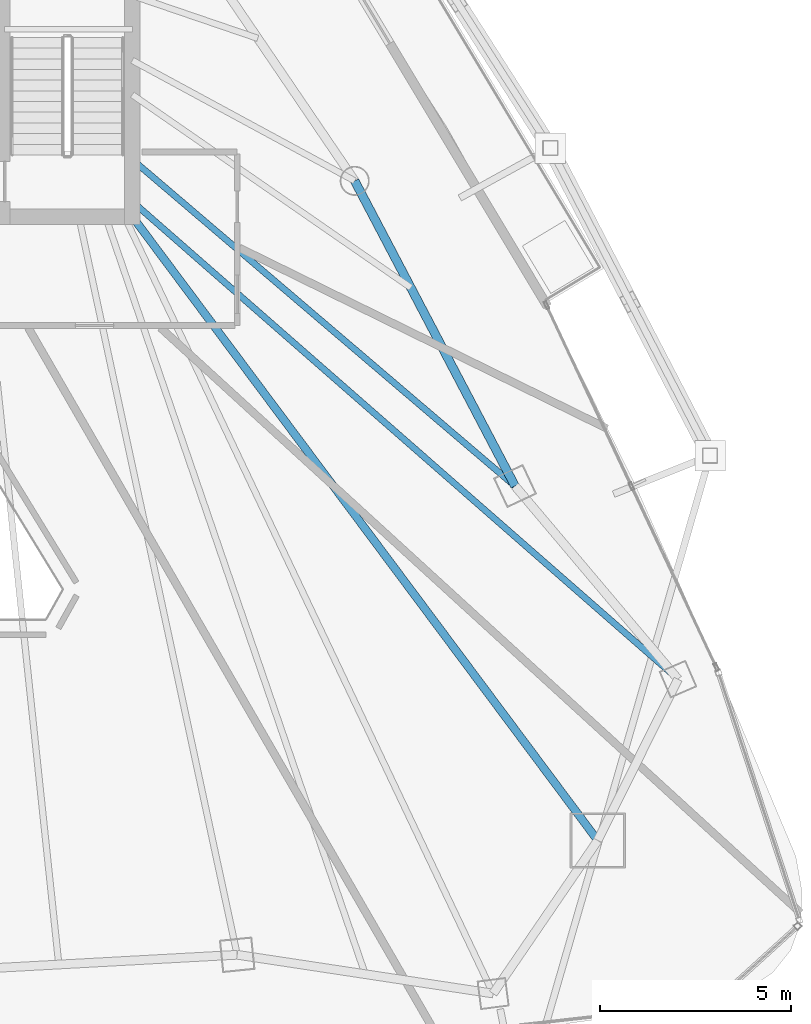
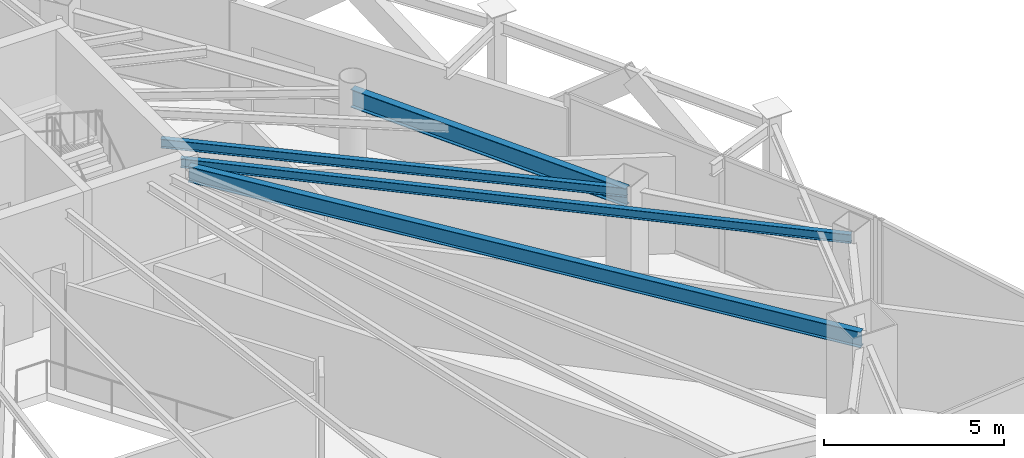
# One storey, part 15 of 27: 4 beams.
"""IFC4 building model written with IfcOpenShell, lengths in metres."""

from ifc_helpers import new_model, si_unit, direction, frame, origin, origin_2d, place, context, subcontext, project, spatial, i_section, extrude, material, material_profile, profile_set, type_object, element, save


model = new_model("IFC4")

# Units and contexts
model_context = context("Model", 3, precision=1e-05, world=origin(), true_north=direction((0.0, 1.0)))
body_context = subcontext(model_context, "Body", "Model", "MODEL_VIEW")
ifc_project = project(units=[si_unit("LENGTHUNIT", "METRE"), si_unit("AREAUNIT", "SQUARE_METRE"), si_unit("VOLUMEUNIT", "CUBIC_METRE"), si_unit("PLANEANGLEUNIT", "RADIAN"), si_unit("MASSUNIT", "GRAM", prefix="KILO")], contexts=[model_context])

# Site, building, storey
site_placement = place(None, origin())
site = spatial("IfcSite", under=ifc_project, at=site_placement, CompositionType="ELEMENT")
building_placement = place(site_placement, origin())
building = spatial("IfcBuilding", under=site, at=building_placement, Name="Orvanel Arch Residences", CompositionType="ELEMENT")
storey_placement = place(building_placement, frame((0.0, 0.0, 186.949951171875)))
storey = spatial("IfcBuildingStorey", under=building, at=storey_placement, Name="L53", CompositionType="ELEMENT", Elevation=186.949951171875)

# Beams
ifc_material = material(Name="Structural steel AS/NZS 3679.1 Grade 300 (300 MPa)", Category="steel")
ifc_material_profile_1 = material_profile(ifc_material, i_section(OverallWidth=0.208984375, OverallDepth=0.532958984375, WebThickness=0.01025390625, FlangeThickness=0.015625, at=origin_2d()), Name="530UB92.4")
ifc_profile_set_1 = profile_set([ifc_material_profile_1], Name="Structural steel AS/NZS 3679.1 Grade 300 (300 MPa)")
beam_type_1 = type_object("IfcBeamType", Name="BG-530UB", PredefinedType="BEAM", material=ifc_profile_set_1)
beam_1_placement = place(storey_placement, frame((39.625, 26.675048828125, 3.68310546875), z_axis=(0.597893733742, -0.801575375839, 0.0), x_axis=(0.801575375839, 0.597893733742, 0.0)))
element("IfcBeam", 1, at=beam_1_placement, inside=storey, type_object=beam_type_1, Name="L53 South-East Radial Girder", PredefinedType="BEAM", context=body_context, shape_type="SweptSolid", body=[
    extrude(i_section(OverallWidth=0.208984375, OverallDepth=0.532958984375, WebThickness=0.01025390625, FlangeThickness=0.015625, at=origin_2d()), origin(), (0.0, 0.0, 1.0), 20.36474609375),
])
ifc_material_profile_2 = material_profile(ifc_material, i_section(OverallWidth=0.1650390625, OverallDepth=0.303955078125, WebThickness=0.006103515625, FlangeThickness=0.01025390625, at=origin_2d()), Name="310UB40.4")
ifc_profile_set_2 = profile_set([ifc_material_profile_2], Name="Structural steel AS/NZS 3679.1 Grade 300 (300 MPa)")
beam_type_2 = type_object("IfcBeamType", Name="BJ-310UB", PredefinedType="JOIST", material=ifc_profile_set_2)
beam_2_placement = place(storey_placement, frame((39.60009765625, 28.199951171875, 3.798095703125), z_axis=(0.760821315761, -0.648961420644, 0.0), x_axis=(0.648961420644, 0.760821315761, 0.0)))
element("IfcBeam", 2, at=beam_2_placement, inside=storey, type_object=beam_type_2, Name="L53 E Wing Floor Joist", PredefinedType="JOIST", context=body_context, shape_type="SweptSolid", body=[
    extrude(i_section(OverallWidth=0.1650390625, OverallDepth=0.303955078125, WebThickness=0.006103515625, FlangeThickness=0.01025390625, at=origin_2d()), origin(), (0.0, 0.0, 1.0), 13.18701171875),
])
beam_3_placement = place(storey_placement, frame((39.60009765625, 27.10009765625, 3.798095703125), z_axis=(0.752493154183, -0.658600070534, 0.0), x_axis=(0.658600070534, 0.752493154183, 0.0)))
element("IfcBeam", 3, at=beam_3_placement, inside=storey, type_object=beam_type_2, Name="L53 ME Wing Floor Joist", PredefinedType="JOIST", context=body_context, shape_type="SweptSolid", body=[
    extrude(i_section(OverallWidth=0.1650390625, OverallDepth=0.303955078125, WebThickness=0.006103515625, FlangeThickness=0.01025390625, at=origin_2d()), origin(), (0.0, 0.0, 1.0), 19.010009765625),
])
ifc_material_profile_3 = material_profile(ifc_material, i_section(OverallWidth=0.22900390625, OverallDepth=0.612060546875, WebThickness=0.011962890625, FlangeThickness=0.01953125, at=origin_2d()), Name="610UB125")
ifc_profile_set_3 = profile_set([ifc_material_profile_3], Name="Structural steel AS/NZS 3679.1 Grade 300 (300 MPa)")
beam_type_3 = type_object("IfcBeamType", Name="SP-610UB", PredefinedType="SPANDREL", material=ifc_profile_set_3)
beam_4_placement = place(storey_placement, frame((49.633056640625, 19.64208984375, 3.64404296875), z_axis=(-0.465064762793, 0.885276660942, 0.0), x_axis=(-0.885276660942, -0.465064762793, 0.0)))
element("IfcBeam", 4, at=beam_4_placement, inside=storey, type_object=beam_type_3, Name="L53 Perimeter Spandrel Beam 11", PredefinedType="SPANDREL", context=body_context, shape_type="SweptSolid", body=[
    extrude(i_section(OverallWidth=0.22900390625, OverallDepth=0.612060546875, WebThickness=0.011962890625, FlangeThickness=0.01953125, at=origin_2d()), origin(), (0.0, 0.0, 1.0), 9.03564453125),
])

save(model, "model.ifc")
